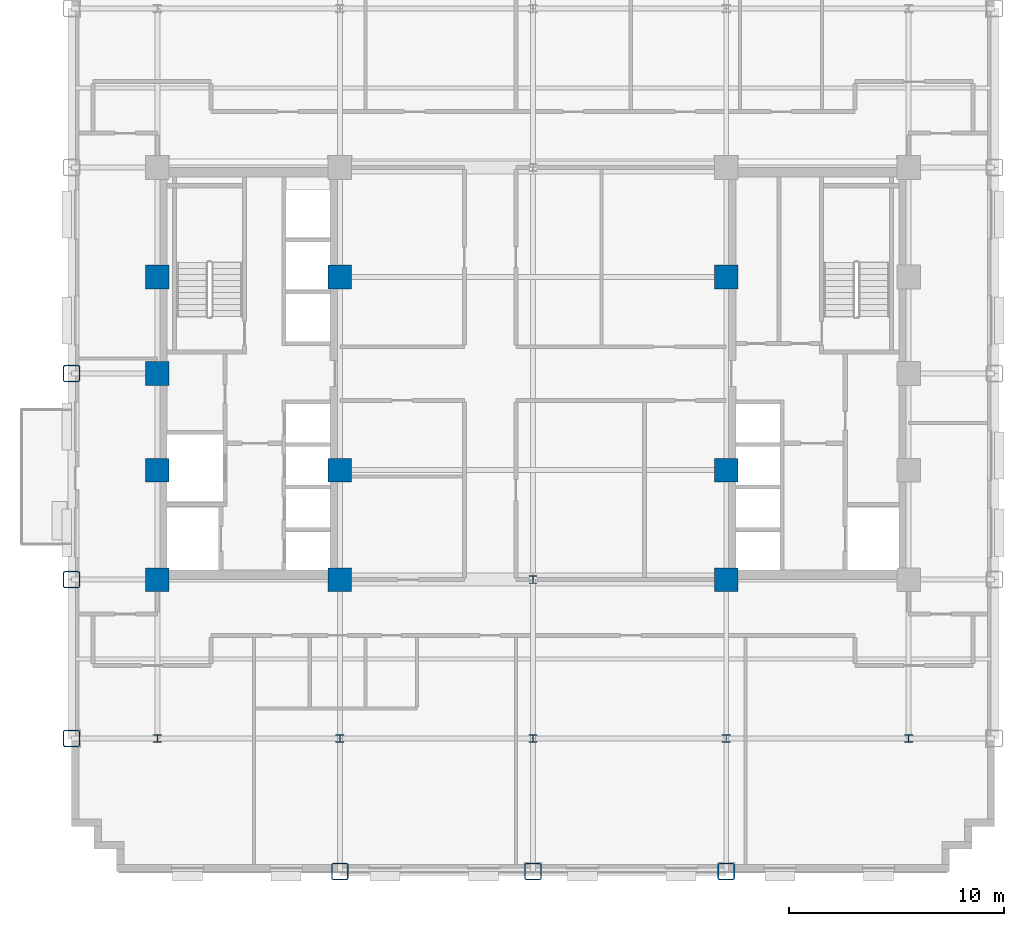
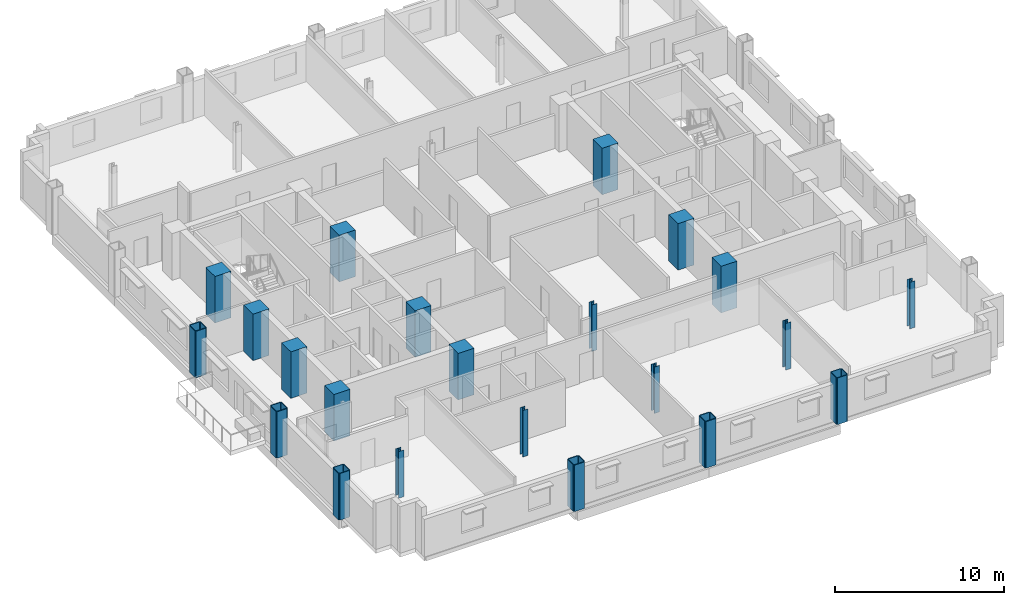
# One storey, part 1 of 13: 22 columns.
"""IFC4 building model written with IfcOpenShell, lengths in metres."""

import ifcopenshell
import ifcopenshell.guid

model = None  # the IFC model being written
_history = None  # IfcOwnerHistory: only IFC2X3 demands one
_inside = {}  # id of a spatial element -> (the spatial element, [elements in it])
_under = {}  # id of a project, library or spatial element -> (it, [spatial elements below it])
_declared = {}  # id of a project -> (the project, [libraries it declares])
_typed = {}  # id of a type object -> (the type object, [elements of that type])
_made_of = {}  # id of a material, layer set ... -> (it, [elements and type objects made of it])


def new_model(schema):
    """Start an empty IFC model of exactly this schema.

    Asked for "IFC4X3", IfcOpenShell would pick the latest addendum, in which some entities
    have other attributes; the version numbers below select the first issue.
    IFC2X3 requires an IfcOwnerHistory on every rooted entity: one is made here for all.
    """
    global model, _history
    if schema == "IFC4X3":
        model = ifcopenshell.file(schema_version=(4, 3, 0, 0))
    else:
        model = ifcopenshell.file(schema=schema)
    _inside.clear()
    _under.clear()
    _declared.clear()
    _typed.clear()
    _made_of.clear()
    _history = None
    if model.schema == "IFC2X3":
        org = make("IfcOrganization", Name="unknown")
        user = make(
            "IfcPersonAndOrganization",
            ThePerson=make("IfcPerson", FamilyName="unknown"),
            TheOrganization=org,
        )
        app = make(
            "IfcApplication",
            ApplicationDeveloper=org,
            Version="unknown",
            ApplicationFullName="unknown",
            ApplicationIdentifier="unknown",
        )
        _history = make(
            "IfcOwnerHistory",
            OwningUser=user,
            OwningApplication=app,
            ChangeAction="ADDED",
            CreationDate=0,
        )
    return model


def make(cls, **values):
    """One entity of the class cls with the attributes given. An attribute that is None is left unset."""
    return model.create_entity(
        cls, **{name: value for name, value in values.items() if value is not None}
    )


def rooted(cls, **values):
    """An entity with a GlobalId (a new one), such as an element, a storey or a relation."""
    return make(cls, GlobalId=ifcopenshell.guid.new(), OwnerHistory=_history, **values)


def si_unit(unit_type, name, prefix=None):
    """IfcSIUnit, for example si_unit("LENGTHUNIT", "METRE", prefix="MILLI")."""
    return make("IfcSIUnit", UnitType=unit_type, Prefix=prefix, Name=name)


def assignment(units):
    """IfcUnitAssignment: the units of a project."""
    return None if units is None else make("IfcUnitAssignment", Units=units)


def point(xyz):
    """IfcCartesianPoint."""
    return None if xyz is None else make("IfcCartesianPoint", Coordinates=xyz)


def direction(xyz):
    """IfcDirection."""
    return None if xyz is None else make("IfcDirection", DirectionRatios=xyz)


def frame(location, z_axis=None, x_axis=None):
    """IfcAxis2Placement3D, a coordinate frame: its origin and axes. An axis left out is left unset."""
    return make(
        "IfcAxis2Placement3D",
        Location=point(location),
        Axis=direction(z_axis),
        RefDirection=direction(x_axis),
    )


def frame_2d(location, x_axis=None):
    """IfcAxis2Placement2D, a coordinate frame in the plane: its origin and x axis."""
    return make(
        "IfcAxis2Placement2D", Location=point(location), RefDirection=direction(x_axis)
    )


def origin():
    """The frame at (0, 0, 0) with its axes left unset."""
    return frame((0.0, 0.0, 0.0))


def origin_2d():
    """The frame at (0, 0) in the plane with its x axis left unset."""
    return frame_2d((0.0, 0.0))


def place(relative_to, where):
    """IfcLocalPlacement: puts the frame where relative to a parent placement (None: the world)."""
    return make(
        "IfcLocalPlacement", PlacementRelTo=relative_to, RelativePlacement=where
    )


def context(
    kind, dimensions, precision=None, world=None, true_north=None, identifier=None
):
    """IfcGeometricRepresentationContext, for example the 3D "Model" context."""
    return make(
        "IfcGeometricRepresentationContext",
        ContextIdentifier=identifier,
        ContextType=kind,
        CoordinateSpaceDimension=dimensions,
        Precision=precision,
        WorldCoordinateSystem=world,
        TrueNorth=true_north,
    )


def subcontext(parent, identifier, kind, view, scale=None):
    """IfcGeometricRepresentationSubContext, for example "Body" below "Model"."""
    return make(
        "IfcGeometricRepresentationSubContext",
        ContextIdentifier=identifier,
        ContextType=kind,
        ParentContext=parent,
        TargetScale=scale,
        TargetView=view,
    )


def project(units=None, contexts=None):
    """IfcProject with its units and contexts."""
    return rooted(
        "IfcProject",
        Name="project",
        RepresentationContexts=contexts,
        UnitsInContext=assignment(units),
    )


def spatial(cls, under=None, at=None, **own):
    """A site, building, storey or space (cls), placed at a placement, below another one or the project."""
    s = rooted(cls, ObjectPlacement=at, **own)
    if under is not None:
        _under.setdefault(under.id(), (under, []))[1].append(s)
    return s


def profile(cls, at=None, kind="AREA", **sizes):
    """A parametric profile (cls). Its sizes go by their IFC names, for example OverallWidth=200.0."""
    return make(cls, ProfileType=kind, Position=at, **sizes)


def rectangle(**sizes):
    """IfcRectangleProfileDef."""
    return profile("IfcRectangleProfileDef", **sizes)


def hollow_rectangle(**sizes):
    """IfcRectangleHollowProfileDef."""
    return profile("IfcRectangleHollowProfileDef", **sizes)


def i_section(**sizes):
    """IfcIShapeProfileDef."""
    return profile("IfcIShapeProfileDef", **sizes)


def extrude(swept, where, along, depth):
    """IfcExtrudedAreaSolid: the profile swept, set in the frame where, extruded along a direction by depth."""
    return make(
        "IfcExtrudedAreaSolid",
        SweptArea=swept,
        Position=where,
        ExtrudedDirection=direction(along),
        Depth=depth,
    )


def shape(context_of_items, identifier, shape_type, items):
    """IfcShapeRepresentation: the items that make up one representation, for example the "Body"."""
    return make(
        "IfcShapeRepresentation",
        ContextOfItems=context_of_items,
        RepresentationIdentifier=identifier,
        RepresentationType=shape_type,
        Items=items,
    )


def material(Name=None, Category=None):
    """IfcMaterial."""
    return make("IfcMaterial", Name=Name, Category=Category)


def material_profile(
    of_material, cross_section, Name=None, Category=None, Priority=None
):
    """IfcMaterialProfile: a cross section and its material."""
    return make(
        "IfcMaterialProfile",
        Name=Name,
        Material=of_material,
        Profile=cross_section,
        Priority=Priority,
        Category=Category,
    )


def profile_set(profiles, Name=None, composite=None):
    """IfcMaterialProfileSet."""
    return make(
        "IfcMaterialProfileSet",
        Name=Name,
        MaterialProfiles=profiles,
        CompositeProfile=composite,
    )


def made_of(thing, what):
    """Note that an element or type object is made of a material, layer set ...; save() writes the relation."""
    if what is not None:
        _made_of.setdefault(what.id(), (what, []))[1].append(thing)
    return thing


def type_object(cls, material=None, **own):
    """A type object (cls), such as IfcWallType, which elements share."""
    return made_of(rooted(cls, **own), material)


def element(
    cls,
    number,
    at=None,
    inside=None,
    cuts=None,
    type_object=None,
    material=None,
    context=None,
    identifier="Body",
    shape_type=None,
    held_by="IfcProductDefinitionShape",
    body=None,
    shapes=None,
    **own,
):
    """One element of the class cls, such as IfcWall. Its Tag is "e" and its number.

    at: its placement. inside: the storey or other place that contains it. cuts: it is an
    opening in that element (IfcRelVoidsElement). A single representation is given by context,
    identifier, shape_type and body (its items); several are given by shapes. held_by: the class
    of the entity that holds the representations. save() writes the other relations.
    """
    e = rooted(cls, Tag="e%d" % number, ObjectPlacement=at, **own)
    if body is not None:
        shapes = [shape(context, identifier, shape_type, body)]
    if shapes is not None:
        e.Representation = make(held_by, Representations=shapes)
    if inside is not None:
        _inside.setdefault(inside.id(), (inside, []))[1].append(e)
    if cuts is not None:
        rooted(
            "IfcRelVoidsElement", RelatingBuildingElement=cuts, RelatedOpeningElement=e
        )
    if type_object is not None:
        _typed.setdefault(type_object.id(), (type_object, []))[1].append(e)
    return made_of(e, material)


def aggregate(whole, parts):
    """IfcRelAggregates: a whole, such as a stair, and the parts it consists of."""
    return rooted("IfcRelAggregates", RelatingObject=whole, RelatedObjects=parts)


def save(model, path):
    """Write the relations noted so far, then the file.

    IfcRelAggregates (storeys below a building ...), IfcRelContainedInSpatialStructure (elements
    in a storey), IfcRelDefinesByType, IfcRelAssociatesMaterial and IfcRelDeclares: one each for
    every whole, place, type object, material and project.
    """
    for whole, parts in _under.values():
        aggregate(whole, parts)
    for where, things in _inside.values():
        rooted(
            "IfcRelContainedInSpatialStructure",
            RelatedElements=things,
            RelatingStructure=where,
        )
    for kind, things in _typed.values():
        rooted("IfcRelDefinesByType", RelatedObjects=things, RelatingType=kind)
    for what, things in _made_of.values():
        rooted("IfcRelAssociatesMaterial", RelatedObjects=things, RelatingMaterial=what)
    for by, libraries in _declared.values():
        rooted("IfcRelDeclares", RelatingContext=by, RelatedDefinitions=libraries)
    model.write(path)


model = new_model("IFC4")

# Units and contexts
model_context = context("Model", 3, precision=1e-05, world=origin(), true_north=direction((0.0, 1.0)))
body_context = subcontext(model_context, "Body", "Model", "MODEL_VIEW")
ifc_project = project(units=[si_unit("LENGTHUNIT", "METRE"), si_unit("AREAUNIT", "SQUARE_METRE"), si_unit("VOLUMEUNIT", "CUBIC_METRE"), si_unit("PLANEANGLEUNIT", "RADIAN"), si_unit("MASSUNIT", "GRAM", prefix="KILO")], contexts=[model_context])

# Site, building, storey
site_placement = place(None, origin())
site = spatial("IfcSite", under=ifc_project, at=site_placement, CompositionType="ELEMENT")
building_placement = place(site_placement, origin())
building = spatial("IfcBuilding", under=site, at=building_placement, Name="Nuvemarco Arch Tower", CompositionType="ELEMENT")
storey_placement = place(building_placement, frame((0.0, 0.0, 78.699951171875)))
storey = spatial("IfcBuildingStorey", under=building, at=storey_placement, Name="L20", CompositionType="ELEMENT", Elevation=78.699951171875)

# Columns
ifc_material_1 = material(Name="Concrete C60/75", Category="concrete")
ifc_material_profile_1 = material_profile(ifc_material_1, rectangle(XDim=1.10009765625, YDim=1.10009765625, at=origin_2d()), Name="RC-COL-1100x1100")
ifc_profile_set_1 = profile_set([ifc_material_profile_1], Name="Concrete C60/75")
column_type_1 = type_object("IfcColumnType", Name="COL-CORE-1100", PredefinedType="COLUMN", material=ifc_profile_set_1)
for number, where, z_axis, x_axis, name in (
    (1, (-17.5, -9.60009765625, 0.0), (0.0, 0.0, 1.0), (1.0, 0.0, 0.0), "L20 column CC_-17.5_-9.6"),
    (2, (-17.5, -4.5, 0.0), (0.0, 0.0, 1.0), (1.0, 0.0, 0.0), "L20 column CC_-17.5_-4.5"),
    (3, (-17.5, 4.5, 0.0), (0.0, 0.0, 1.0), (1.0, 0.0, 0.0), "L20 column CC_-17.5_+4.5"),
    (4, (-9.0, -9.60009765625, 0.0), (0.0, 0.0, 1.0), (1.0, 0.0, 0.0), "L20 column CC_-9.0_-9.6"),
    (5, (-9.0, -4.5, 0.0), (0.0, 0.0, 1.0), (1.0, 0.0, 0.0), "L20 column CC_-9.0_-4.5"),
    (6, (-9.0, 4.5, 0.0), (0.0, 0.0, 1.0), (1.0, 0.0, 0.0), "L20 column CC_-9.0_+4.5"),
    (7, (9.0, -9.60009765625, 0.0), (0.0, 0.0, 1.0), (1.0, 0.0, 0.0), "L20 column CC_+9.0_-9.6"),
    (8, (9.0, -4.5, 0.0), (0.0, 0.0, 1.0), (1.0, 0.0, 0.0), "L20 column CC_+9.0_-4.5"),
    (9, (9.0, 4.5, 0.0), (0.0, 0.0, 1.0), (1.0, 0.0, 0.0), "L20 column CC_+9.0_+4.5"),
    (10, (-17.5, 0.0, 0.0), (0.0, 0.0, 1.0), (1.0, 0.0, 0.0), "L20 column CC_-17.5_+0.0"),
):
    element("IfcColumn", number, at=place(storey_placement, frame(where, z_axis=z_axis, x_axis=x_axis)), inside=storey, type_object=column_type_1, Name=name, PredefinedType="COLUMN", context=body_context, shape_type="SweptSolid", body=[
        extrude(rectangle(XDim=1.10009765625, YDim=1.10009765625, at=origin_2d()), origin(), (0.0, 0.0, 1.0), 3.3701171875),
    ])
ifc_material_2 = material(Name="Steel S460", Category="steel")
ifc_material_profile_2 = material_profile(ifc_material_2, hollow_rectangle(XDim=0.800048828125, YDim=0.800048828125, WallThickness=0.054931640625, InnerFilletRadius=0.054931640625, OuterFilletRadius=0.110107421875, at=origin_2d()), Name="SHS800x800x55")
ifc_profile_set_2 = profile_set([ifc_material_profile_2], Name="Steel S460")
column_type_2 = type_object("IfcColumnType", Name="COL-EXO-800", PredefinedType="COLUMN", material=ifc_profile_set_2)
for number, where, z_axis, x_axis, name in (
    (11, (-21.5, -17.0, 0.0), (0.0, 0.0, 1.0), (1.0, 0.0, 0.0), "L20 column CX_-21.5_-17.0"),
    (12, (-21.5, -9.60009765625, 0.0), (0.0, 0.0, 1.0), (1.0, 0.0, 0.0), "L20 column CX_-21.5_-9.6"),
    (13, (-21.5, 0.0, 0.0), (0.0, 0.0, 1.0), (1.0, 0.0, 0.0), "L20 column CX_-21.5_+0.0"),
    (14, (-9.0, -23.199951171875, 0.0), (0.0, 0.0, 1.0), (1.0, 0.0, 0.0), "L20 column CY_-9.0_-23.2"),
    (15, (0.0, -23.199951171875, 0.0), (0.0, 0.0, 1.0), (1.0, 0.0, 0.0), "L20 column CY_+0.0_-23.2"),
    (16, (9.0, -23.199951171875, 0.0), (0.0, 0.0, 1.0), (1.0, 0.0, 0.0), "L20 column CY_+9.0_-23.2"),
):
    element("IfcColumn", number, at=place(storey_placement, frame(where, z_axis=z_axis, x_axis=x_axis)), inside=storey, type_object=column_type_2, Name=name, PredefinedType="COLUMN", context=body_context, shape_type="SweptSolid", body=[
        extrude(hollow_rectangle(XDim=0.800048828125, YDim=0.800048828125, WallThickness=0.054931640625, InnerFilletRadius=0.054931640625, OuterFilletRadius=0.110107421875, at=origin_2d()), origin(), (0.0, 0.0, 1.0), 3.3701171875),
    ])
ifc_material_3 = material(Name="Steel S355", Category="steel")
ifc_material_profile_3 = material_profile(ifc_material_3, i_section(OverallWidth=0.360107421875, OverallDepth=0.360107421875, WebThickness=0.0205078125, FlangeThickness=0.0205078125, FilletRadius=0.01806640625, at=origin_2d()), Name="HP360x174")
ifc_profile_set_3 = profile_set([ifc_material_profile_3], Name="Steel S355")
column_type_3 = type_object("IfcColumnType", Name="COL-STL-HP360", PredefinedType="COLUMN", material=ifc_profile_set_3)
for number, where, z_axis, x_axis, name in (
    (17, (0.0, -17.0, 0.0), (0.0, 0.0, 1.0), (1.0, 0.0, 0.0), "L20 column CI_+0.0_-17.0"),
    (18, (0.0, -9.60009765625, 0.0), (0.0, 0.0, 1.0), (1.0, 0.0, 0.0), "L20 column CI_+0.0_-9.6"),
    (19, (-17.5, -17.0, 0.0), (0.0, 0.0, 1.0), (1.0, 0.0, 0.0), "L20 column CI_-17.5_-17.0"),
    (20, (-9.0, -17.0, 0.0), (0.0, 0.0, 1.0), (1.0, 0.0, 0.0), "L20 column CI_-9.0_-17.0"),
    (21, (9.0, -17.0, 0.0), (0.0, 0.0, 1.0), (1.0, 0.0, 0.0), "L20 column CI_+9.0_-17.0"),
    (22, (17.5, -17.0, 0.0), (0.0, 0.0, 1.0), (1.0, 0.0, 0.0), "L20 column CI_+17.5_-17.0"),
):
    element("IfcColumn", number, at=place(storey_placement, frame(where, z_axis=z_axis, x_axis=x_axis)), inside=storey, type_object=column_type_3, Name=name, PredefinedType="COLUMN", context=body_context, shape_type="SweptSolid", body=[
        extrude(i_section(OverallWidth=0.360107421875, OverallDepth=0.360107421875, WebThickness=0.0205078125, FlangeThickness=0.0205078125, FilletRadius=0.01806640625, at=origin_2d()), origin(), (0.0, 0.0, 1.0), 3.3701171875),
    ])

save(model, "model.ifc")
